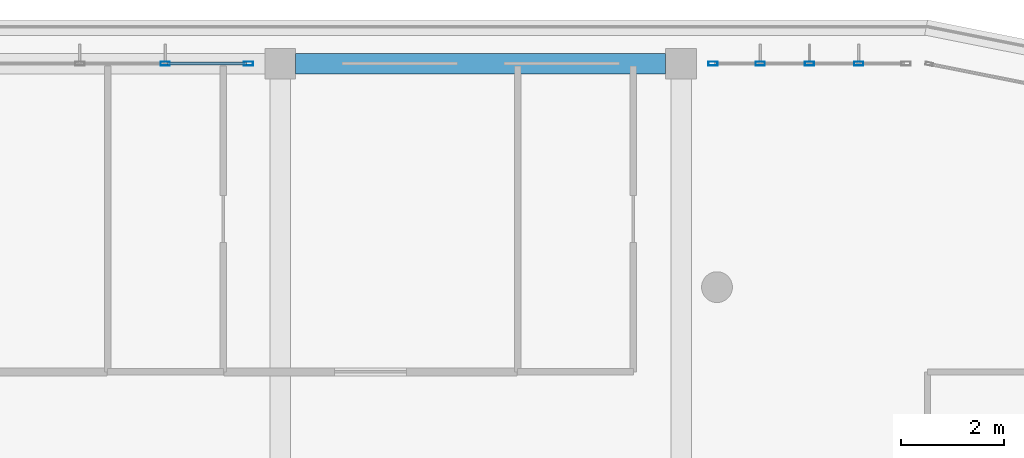
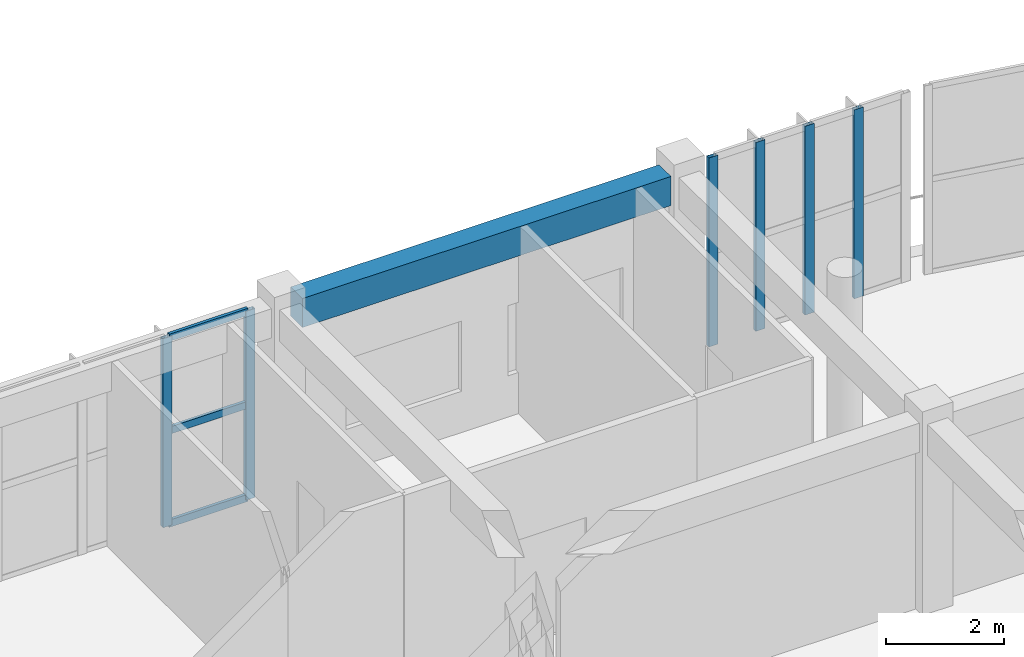
# One storey, part 29 of 56: 9 members, 1 beam, 2 elements without a shape of their own.
"""IFC4 building model written with IfcOpenShell, lengths in metres."""

from ifc_helpers import new_model, si_unit, direction, frame, origin, origin_2d, place, context, subcontext, project, spatial, rectangle, hollow_rectangle, extrude, material, layer, layer_set, material_profile, profile_set, type_object, element, aggregate, save


model = new_model("IFC4")

# Units and contexts
model_context = context("Model", 3, precision=1e-05, world=origin(), true_north=direction((0.0, 1.0)))
body_context = subcontext(model_context, "Body", "Model", "MODEL_VIEW")
ifc_project = project(units=[si_unit("LENGTHUNIT", "METRE"), si_unit("AREAUNIT", "SQUARE_METRE"), si_unit("VOLUMEUNIT", "CUBIC_METRE"), si_unit("PLANEANGLEUNIT", "RADIAN"), si_unit("MASSUNIT", "GRAM", prefix="KILO")], contexts=[model_context])

# Site, building, storey
site_placement = place(None, origin())
site = spatial("IfcSite", under=ifc_project, at=site_placement, CompositionType="ELEMENT")
building_placement = place(site_placement, origin())
building = spatial("IfcBuilding", under=site, at=building_placement, Name="Zizhar Promenade General Hospital", CompositionType="ELEMENT")
storey_placement = place(building_placement, frame((0.0, 0.0, 26.39990234375)))
storey = spatial("IfcBuildingStorey", under=building, at=storey_placement, Name="L06", CompositionType="ELEMENT", Elevation=26.39990234375)

# Beam
ifc_material_1 = material(Name="Concrete C35/45", Category="concrete")
ifc_material_profile_1 = material_profile(ifc_material_1, rectangle(XDim=0.39990234375, YDim=0.60009765625, at=origin_2d()))
ifc_profile_set_1 = profile_set([ifc_material_profile_1], Name="Concrete C35/45")
beam_type = type_object("IfcBeamType", Name="BM-RC-400x600", PredefinedType="JOIST", material=ifc_profile_set_1)
beam_placement = place(storey_placement, frame((101.699951171875, 25.199951171875, 3.610107421875), z_axis=(1.0, 0.0, 0.0), x_axis=(0.0, 1.0, 0.0)))
element("IfcBeam", 1, at=beam_placement, inside=storey, type_object=beam_type, Name="Grid Beam X L06 (13-3)", PredefinedType="JOIST", context=body_context, shape_type="SweptSolid", body=[
    extrude(rectangle(XDim=0.39990234375, YDim=0.60009765625, at=origin_2d()), origin(), (0.0, 0.0, 1.0), 7.199951171875),
])

# Curtain wall, members
ifc_material_2 = material(Name="Anodised aluminium 6063-T6 and low-E glass", Category="aluminium")
ifc_layer = layer(ifc_material_2, 0.159912109375)
ifc_layer_set = layer_set([ifc_layer], Name="Anodised aluminium 6063-T6 and low-E glass")
curtain_wall_type = type_object("IfcCurtainWallType", Name="CW-WARD-RIB", PredefinedType="NOTDEFINED", material=ifc_layer_set)
curtain_wall_1_placement = place(storey_placement, origin())
curtain_wall_1 = element("IfcCurtainWall", 2, at=curtain_wall_1_placement, inside=storey, type_object=curtain_wall_type, Name="Ward Ribbon Curtain Wall L06-8-8", PredefinedType="NOTDEFINED")
ifc_material_3 = material(Name="Anodised aluminium 6063-T6", Category="aluminium")
ifc_material_profile_2 = material_profile(ifc_material_3, hollow_rectangle(XDim=0.080078125, YDim=0.179931640625, WallThickness=0.0048828125, at=origin_2d()))
ifc_profile_set_2 = profile_set([ifc_material_profile_2], Name="Anodised aluminium 6063-T6")
member_type_1 = type_object("IfcMemberType", Name="CWM-ALU-180x80", PredefinedType="MULLION", material=ifc_profile_set_2)
member_1_placement = place(storey_placement, frame((99.159912109375, 25.199951171875, 0.0), z_axis=(0.0, 0.0, 1.0), x_axis=(0.0, 1.0, 0.0)))
member_1 = element("IfcMember", 3, at=member_1_placement, type_object=member_type_1, Name="CW-13 mullion 4", PredefinedType="MULLION", context=body_context, shape_type="SweptSolid", body=[
    extrude(hollow_rectangle(XDim=0.080078125, YDim=0.179931640625, WallThickness=0.0048828125, at=origin_2d()), origin(), (0.0, 0.0, 1.0), 3.900146484375),
])
member_2_placement = place(storey_placement, frame((100.780029296875, 25.199951171875, 0.0), z_axis=(0.0, 0.0, 1.0), x_axis=(0.0, 1.0, 0.0)))
member_2 = element("IfcMember", 4, at=member_2_placement, type_object=member_type_1, Name="CW-13 mullion 5", PredefinedType="MULLION", context=body_context, shape_type="SweptSolid", body=[
    extrude(hollow_rectangle(XDim=0.080078125, YDim=0.179931640625, WallThickness=0.0048828125, at=origin_2d()), origin(), (0.0, 0.0, 1.0), 3.900146484375),
])

curtain_wall_2_placement = place(storey_placement, origin())
curtain_wall_2 = element("IfcCurtainWall", 5, at=curtain_wall_2_placement, inside=storey, type_object=curtain_wall_type, Name="Ward Ribbon Curtain Wall L06-8-10", PredefinedType="NOTDEFINED")
member_3_placement = place(storey_placement, frame((109.820068359375, 25.199951171875, 0.0), z_axis=(0.0, 0.0, 1.0), x_axis=(0.0, 1.0, 0.0)))
member_3 = element("IfcMember", 6, at=member_3_placement, type_object=member_type_1, Name="CW-13 mullion 1", PredefinedType="MULLION", context=body_context, shape_type="SweptSolid", body=[
    extrude(hollow_rectangle(XDim=0.080078125, YDim=0.179931640625, WallThickness=0.0048828125, at=origin_2d()), origin(), (0.0, 0.0, 1.0), 3.900146484375),
])
member_4_placement = place(storey_placement, frame((110.739990234375, 25.199951171875, 0.0), z_axis=(0.0, 0.0, 1.0), x_axis=(0.0, 1.0, 0.0)))
member_4 = element("IfcMember", 7, at=member_4_placement, type_object=member_type_1, Name="CW-13 mullion 2", PredefinedType="MULLION", context=body_context, shape_type="SweptSolid", body=[
    extrude(hollow_rectangle(XDim=0.080078125, YDim=0.179931640625, WallThickness=0.0048828125, at=origin_2d()), origin(), (0.0, 0.0, 1.0), 3.900146484375),
])
member_5_placement = place(storey_placement, frame((111.699951171875, 25.199951171875, 0.0), z_axis=(0.0, 0.0, 1.0), x_axis=(0.0, 1.0, 0.0)))
member_5 = element("IfcMember", 8, at=member_5_placement, type_object=member_type_1, Name="CW-13 mullion 3", PredefinedType="MULLION", context=body_context, shape_type="SweptSolid", body=[
    extrude(hollow_rectangle(XDim=0.080078125, YDim=0.179931640625, WallThickness=0.0048828125, at=origin_2d()), origin(), (0.0, 0.0, 1.0), 3.900146484375),
])
member_6_placement = place(storey_placement, frame((112.659912109375, 25.199951171875, 0.0), z_axis=(0.0, 0.0, 1.0), x_axis=(0.0, 1.0, 0.0)))
member_6 = element("IfcMember", 9, at=member_6_placement, type_object=member_type_1, Name="CW-13 mullion 4", PredefinedType="MULLION", context=body_context, shape_type="SweptSolid", body=[
    extrude(hollow_rectangle(XDim=0.080078125, YDim=0.179931640625, WallThickness=0.0048828125, at=origin_2d()), origin(), (0.0, 0.0, 1.0), 3.900146484375),
])
aggregate(curtain_wall_2, [member_3, member_4, member_5, member_6])

# Member
ifc_material_4 = material(Name="Anodised aluminium 6063-T6", Category="aluminium")
ifc_material_profile_3 = material_profile(ifc_material_4, hollow_rectangle(XDim=0.06005859375, YDim=0.14990234375, WallThickness=0.00390625, at=origin_2d()))
ifc_profile_set_3 = profile_set([ifc_material_profile_3], Name="Anodised aluminium 6063-T6")
member_type_2 = type_object("IfcMemberType", Name="CWT-ALU-150x60", PredefinedType="USERDEFINED", material=ifc_profile_set_3)
member_7_placement = place(storey_placement, frame((99.199951171875, 25.199951171875, 0.030029296875), z_axis=(1.0, 0.0, 0.0), x_axis=(0.0, 1.0, 0.0)))
member_7 = element("IfcMember", 10, at=member_7_placement, type_object=member_type_2, Name="CW-13 transom 4.1", ObjectType="TRANSOM", PredefinedType="USERDEFINED", context=body_context, shape_type="SweptSolid", body=[
    extrude(hollow_rectangle(XDim=0.06005859375, YDim=0.14990234375, WallThickness=0.00390625, at=origin_2d()), origin(), (0.0, 0.0, 1.0), 1.5400390625),
])

member_8_placement = place(storey_placement, frame((99.199951171875, 25.199951171875, 1.9501953125), z_axis=(1.0, 0.0, 0.0), x_axis=(0.0, 1.0, 0.0)))
member_8 = element("IfcMember", 11, at=member_8_placement, type_object=member_type_2, Name="CW-13 transom 4.2", ObjectType="TRANSOM", PredefinedType="USERDEFINED", context=body_context, shape_type="SweptSolid", body=[
    extrude(hollow_rectangle(XDim=0.06005859375, YDim=0.14990234375, WallThickness=0.00390625, at=origin_2d()), origin(), (0.0, 0.0, 1.0), 1.5400390625),
])

member_9_placement = place(storey_placement, frame((99.199951171875, 25.199951171875, 3.8701171875), z_axis=(1.0, 0.0, 0.0), x_axis=(0.0, 1.0, 0.0)))
member_9 = element("IfcMember", 12, at=member_9_placement, type_object=member_type_2, Name="CW-13 transom 4.3", ObjectType="TRANSOM", PredefinedType="USERDEFINED", context=body_context, shape_type="SweptSolid", body=[
    extrude(hollow_rectangle(XDim=0.06005859375, YDim=0.14990234375, WallThickness=0.00390625, at=origin_2d()), origin(), (0.0, 0.0, 1.0), 1.5400390625),
])

aggregate(curtain_wall_1, [member_1, member_2, member_7, member_8, member_9])

save(model, "model.ifc")
